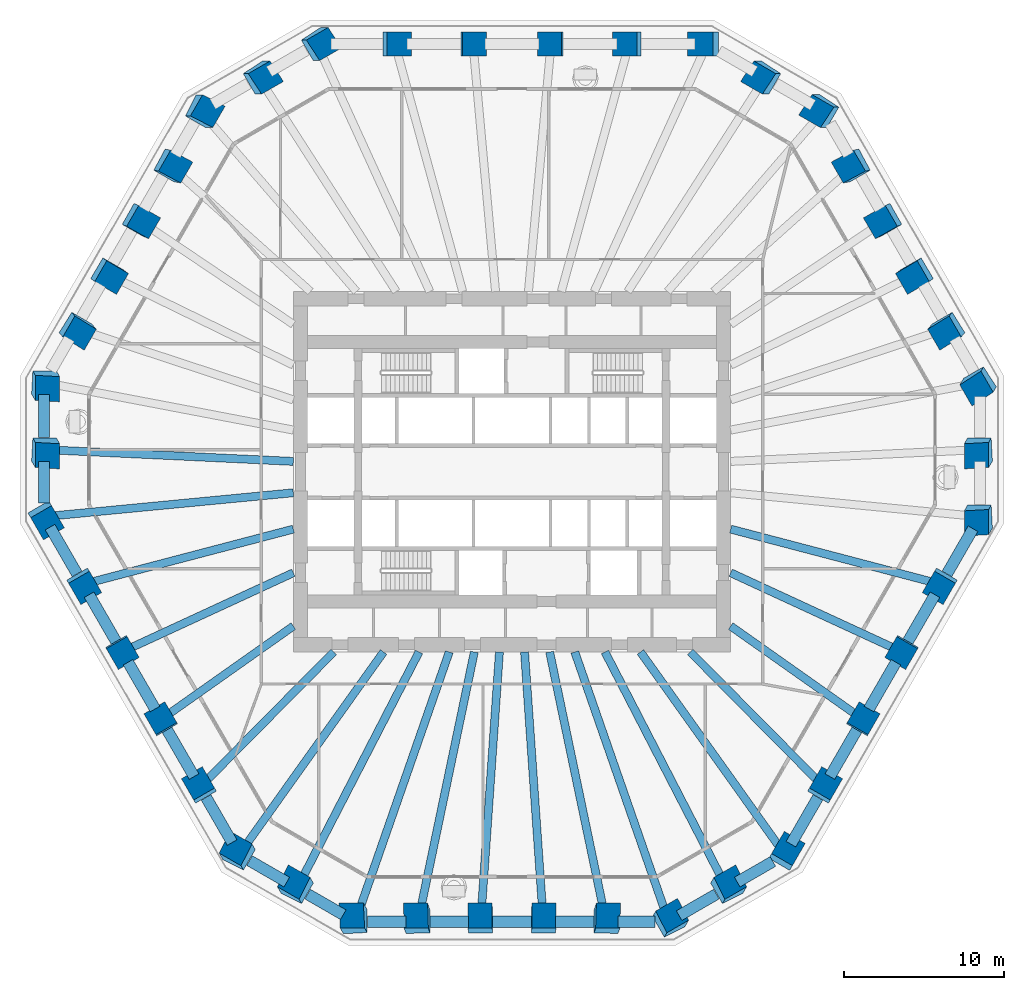
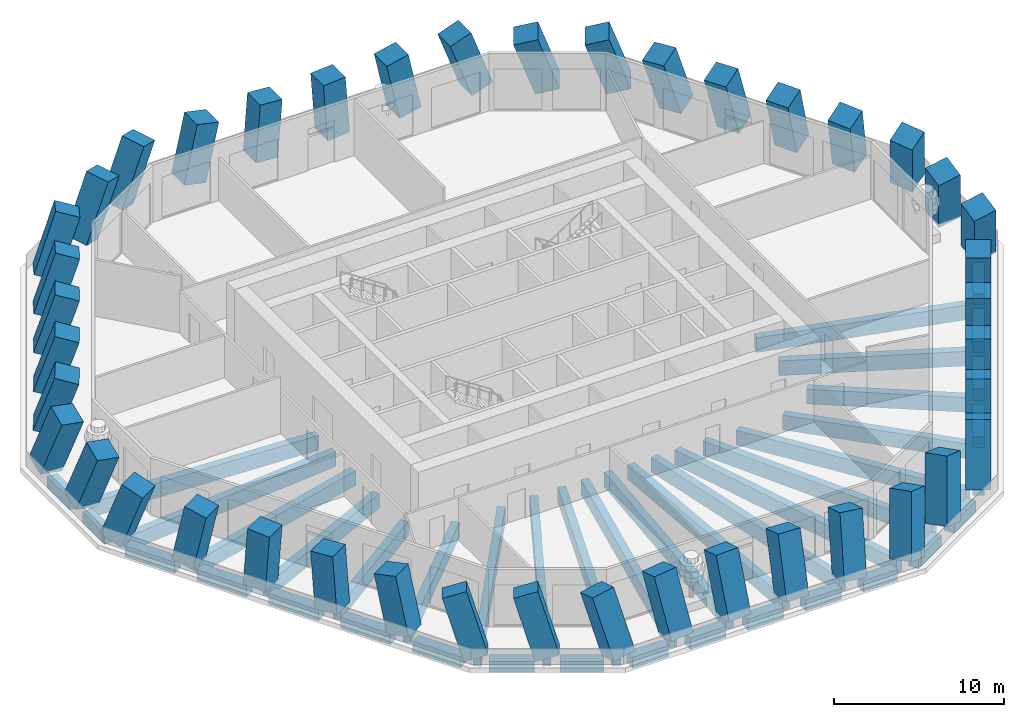
# One storey, part 1 of 11: 42 columns, 41 beams.
"""IFC4 building model written with IfcOpenShell, lengths in metres."""

from ifc_helpers import new_model, si_unit, direction, frame, origin, origin_2d, place, context, subcontext, project, spatial, rectangle, extrude, material, material_profile, profile_set, type_object, element, save


model = new_model("IFC4")

# Units and contexts
model_context = context("Model", 3, precision=1e-05, world=origin(), true_north=direction((0.0, 1.0)))
body_context = subcontext(model_context, "Body", "Model", "MODEL_VIEW")
ifc_project = project(units=[si_unit("LENGTHUNIT", "METRE"), si_unit("AREAUNIT", "SQUARE_METRE"), si_unit("VOLUMEUNIT", "CUBIC_METRE"), si_unit("PLANEANGLEUNIT", "RADIAN"), si_unit("MASSUNIT", "GRAM", prefix="KILO")], contexts=[model_context])

# Site, building, storey
site_placement = place(None, origin())
site = spatial("IfcSite", under=ifc_project, at=site_placement, CompositionType="ELEMENT")
building_placement = place(site_placement, origin())
building = spatial("IfcBuilding", under=site, at=building_placement, Name="Frailejon Research Tower", CompositionType="ELEMENT")
storey_placement = place(building_placement, frame((0.0, 0.0, 67.39990234375)))
storey = spatial("IfcBuildingStorey", under=building, at=storey_placement, Name="L15", CompositionType="ELEMENT", Elevation=67.39990234375)

# Columns
ifc_material_1 = material(Name="Concrete C70/85", Category="concrete")
ifc_material_profile_1 = material_profile(ifc_material_1, rectangle(XDim=1.5, YDim=1.5, at=origin_2d()), Name="Column 1500")
ifc_profile_set_1 = profile_set([ifc_material_profile_1], Name="Concrete C70/85")
column_type = type_object("IfcColumnType", Name="Column 1500", PredefinedType="COLUMN", material=ifc_profile_set_1)
for number, where, z_axis, x_axis, name in (
    (1, (29.211181640625, -2.8046875, 0.0), (-0.170585157577, -0.29544235916, 0.940007721473), (-0.052685125337, 0.955360564435, 0.290706844588), "Column C01"),
    (2, (29.211181640625, 1.3828125, 0.0), (-0.170585157577, -0.29544235916, 0.940007721473), (-0.052685125337, 0.955360564435, 0.290706844588), "Column C02"),
    (3, (29.211181640625, 5.5703125, 0.0), (-0.170588020232, -0.295390511225, 0.940023496106), (-0.536861857237, 0.827831363108, 0.162710111849), "Column C03"),
):
    element("IfcColumn", number, at=place(storey_placement, frame(where, z_axis=z_axis, x_axis=x_axis)), inside=storey, type_object=column_type, Name=name, PredefinedType="COLUMN", context=body_context, shape_type="SweptSolid", body=[
        extrude(rectangle(XDim=1.5, YDim=1.5, at=origin_2d()), origin(), (0.0, 0.0, 1.0), 4.2978515625),
    ])
column_1_placement = place(storey_placement, frame((27.2548828125, 8.958740234375, 0.0), z_axis=(-0.206604255639, -0.238543908815, 0.948900144967), x_axis=(-0.524107453988, 0.845931636481, 0.098544624791)))
element("IfcColumn", 4, at=column_1_placement, inside=storey, type_object=column_type, Name="Column C04", PredefinedType="COLUMN", context=body_context, shape_type="SweptSolid", body=[
    extrude(rectangle(XDim=1.5, YDim=1.5, at=origin_2d()), origin(), (0.0, 0.0, 1.0), 4.257568359375),
])
for number, where, z_axis, x_axis, name in (
    (5, (25.298583984375, 12.34716796875, 0.0), (-0.242216248762, -0.179760869681, 0.953423997268), (-0.508552704351, 0.860397321393, 0.033024176556), "Column C05"),
    (6, (23.34228515625, 15.735595703125, 0.0), (-0.276787116882, -0.119841216302, 0.953429061233), (-0.49068194142, 0.870713478182, -0.033004109981), "Column C06"),
):
    element("IfcColumn", number, at=place(storey_placement, frame(where, z_axis=z_axis, x_axis=x_axis)), inside=storey, type_object=column_type, Name=name, PredefinedType="COLUMN", context=body_context, shape_type="SweptSolid", body=[
        extrude(rectangle(XDim=1.5, YDim=1.5, at=origin_2d()), origin(), (0.0, 0.0, 1.0), 4.2373046875),
    ])
column_2_placement = place(storey_placement, frame((21.385986328125, 19.1240234375, 0.0), z_axis=(-0.309930766279, -0.059635152069, 0.948887015799), x_axis=(-0.470498954611, 0.8768780975, -0.098567417711)))
element("IfcColumn", 7, at=column_2_placement, inside=storey, type_object=column_type, Name="Column C07", PredefinedType="COLUMN", context=body_context, shape_type="SweptSolid", body=[
    extrude(rectangle(XDim=1.5, YDim=1.5, at=origin_2d()), origin(), (0.0, 0.0, 1.0), 4.257568359375),
])
for number, where, z_axis, x_axis, name in (
    (8, (19.4296875, 22.512451171875, 0.0), (-0.341168319262, 0.0, 0.940002222302), (-0.800987769493, 0.523358442363, -0.290713835121), "Column C08"),
    (9, (15.802978515625, 24.606201171875, 0.0), (-0.341118125037, 0.0, 0.940020438486), (-0.801003291734, 0.523358442363, -0.290671063987), "Column C09"),
    (10, (12.176513671875, 26.699951171875, 0.0), (-0.341118125037, 0.0, 0.940020438486), (-0.940020438486, 0.0, -0.341118125037), "Column C10"),
):
    element("IfcColumn", number, at=place(storey_placement, frame(where, z_axis=z_axis, x_axis=x_axis)), inside=storey, type_object=column_type, Name=name, PredefinedType="COLUMN", context=body_context, shape_type="SweptSolid", body=[
        extrude(rectangle(XDim=1.5, YDim=1.5, at=origin_2d()), origin(), (0.0, 0.0, 1.0), 4.2978515625),
    ])
column_3_placement = place(storey_placement, frame((7.305908203125, 26.699951171875, 0.0), z_axis=(-0.212745864356, 0.0, 0.977107566852), x_axis=(-0.977107566852, 0.0, -0.212745864356)))
element("IfcColumn", 11, at=column_3_placement, inside=storey, type_object=column_type, Name="Column C11", PredefinedType="COLUMN", context=body_context, shape_type="SweptSolid", body=[
    extrude(rectangle(XDim=1.5, YDim=1.5, at=origin_2d()), origin(), (0.0, 0.0, 1.0), 4.134765625),
])
for number, where, z_axis, x_axis, name in (
    (12, (2.435302734375, 26.699951171875, 0.0), (-0.07238780998, 0.0, 0.997376561268), (-0.997376561268, 0.0, -0.07238780998), "Column C12"),
    (13, (-2.435302734375, 26.699951171875, 0.0), (0.07238780998, 0.0, 0.997376561268), (-0.997376561268, 0.0, 0.07238780998), "Column C13"),
):
    element("IfcColumn", number, at=place(storey_placement, frame(where, z_axis=z_axis, x_axis=x_axis)), inside=storey, type_object=column_type, Name=name, PredefinedType="COLUMN", context=body_context, shape_type="SweptSolid", body=[
        extrude(rectangle(XDim=1.5, YDim=1.5, at=origin_2d()), origin(), (0.0, 0.0, 1.0), 4.060791015625),
    ])
column_4_placement = place(storey_placement, frame((-7.305908203125, 26.699951171875, 0.0), z_axis=(0.212745864356, 0.0, 0.977107566852), x_axis=(-0.977107566852, 0.0, 0.212745864356)))
element("IfcColumn", 14, at=column_4_placement, inside=storey, type_object=column_type, Name="Column C14", PredefinedType="COLUMN", context=body_context, shape_type="SweptSolid", body=[
    extrude(rectangle(XDim=1.5, YDim=1.5, at=origin_2d()), origin(), (0.0, 0.0, 1.0), 4.134765625),
])
for number, where, z_axis, x_axis, name in (
    (15, (-12.176513671875, 26.699951171875, 0.0), (0.341118125037, 0.0, 0.940020438486), (-0.80100500902, -0.523355467925, 0.290671687162), "Column C15"),
    (16, (-15.802978515625, 24.606201171875, 0.0), (0.341118125037, 0.0, 0.940020438486), (-0.801003291734, -0.523358442363, 0.290671063987), "Column C16"),
    (17, (-19.4296875, 22.512451171875, 0.0), (0.341168319262, 0.0, 0.940002222302), (-0.448380340539, -0.878903709295, 0.16273702715), "Column C17"),
):
    element("IfcColumn", number, at=place(storey_placement, frame(where, z_axis=z_axis, x_axis=x_axis)), inside=storey, type_object=column_type, Name=name, PredefinedType="COLUMN", context=body_context, shape_type="SweptSolid", body=[
        extrude(rectangle(XDim=1.5, YDim=1.5, at=origin_2d()), origin(), (0.0, 0.0, 1.0), 4.2978515625),
    ])
column_5_placement = place(storey_placement, frame((-21.385986328125, 19.1240234375, 0.0), z_axis=(0.309930766279, -0.059635152069, 0.948887015799), x_axis=(-0.470498954611, -0.8768780975, 0.098567417711)))
element("IfcColumn", 18, at=column_5_placement, inside=storey, type_object=column_type, Name="Column C18", PredefinedType="COLUMN", context=body_context, shape_type="SweptSolid", body=[
    extrude(rectangle(XDim=1.5, YDim=1.5, at=origin_2d()), origin(), (0.0, 0.0, 1.0), 4.257568359375),
])
for number, where, z_axis, x_axis, name in (
    (19, (-23.34228515625, 15.735595703125, 0.0), (0.276787116882, -0.119841216302, 0.953429061233), (-0.49068194142, -0.870713478182, 0.033004109981), "Column C19"),
    (20, (-25.298583984375, 12.34716796875, 0.0), (0.242216248762, -0.179760869681, 0.953423997268), (-0.508552704351, -0.860397321393, -0.033024176556), "Column C20"),
):
    element("IfcColumn", number, at=place(storey_placement, frame(where, z_axis=z_axis, x_axis=x_axis)), inside=storey, type_object=column_type, Name=name, PredefinedType="COLUMN", context=body_context, shape_type="SweptSolid", body=[
        extrude(rectangle(XDim=1.5, YDim=1.5, at=origin_2d()), origin(), (0.0, 0.0, 1.0), 4.2373046875),
    ])
column_6_placement = place(storey_placement, frame((-27.2548828125, 8.958740234375, 0.0), z_axis=(0.206604255639, -0.238543908815, 0.948900144967), x_axis=(-0.524107453988, -0.845931636481, -0.098544624791)))
element("IfcColumn", 21, at=column_6_placement, inside=storey, type_object=column_type, Name="Column C21", PredefinedType="COLUMN", context=body_context, shape_type="SweptSolid", body=[
    extrude(rectangle(XDim=1.5, YDim=1.5, at=origin_2d()), origin(), (0.0, 0.0, 1.0), 4.257568359375),
])
for number, where, z_axis, x_axis, name in (
    (22, (-29.211181640625, 5.5703125, 0.0), (0.170588020232, -0.295390511225, 0.940023496106), (-0.052628043506, -0.955376592381, -0.290664507236), "Column C22"),
    (23, (-29.211181640625, 1.3828125, 0.0), (0.170585157577, -0.29544235916, 0.940007721473), (-0.052685125337, -0.955360564435, -0.290706844588), "Column C23"),
    (24, (-29.211181640625, -2.8046875, 0.0), (0.170585157577, -0.29544235916, 0.940007721473), (0.470057714362, -0.814039471856, -0.341153167111), "Column C24"),
):
    element("IfcColumn", number, at=place(storey_placement, frame(where, z_axis=z_axis, x_axis=x_axis)), inside=storey, type_object=column_type, Name=name, PredefinedType="COLUMN", context=body_context, shape_type="SweptSolid", body=[
        extrude(rectangle(XDim=1.5, YDim=1.5, at=origin_2d()), origin(), (0.0, 0.0, 1.0), 4.2978515625),
    ])
column_7_placement = place(storey_placement, frame((-26.77587890625, -7.02294921875, 0.0), z_axis=(0.106402456539, -0.184226228858, 0.977107575369), x_axis=(0.488665296242, -0.846135593228, -0.212745825157)))
element("IfcColumn", 25, at=column_7_placement, inside=storey, type_object=column_type, Name="Column C25", PredefinedType="COLUMN", context=body_context, shape_type="SweptSolid", body=[
    extrude(rectangle(XDim=1.5, YDim=1.5, at=origin_2d()), origin(), (0.0, 0.0, 1.0), 4.134765625),
])
for number, where, z_axis, x_axis, name in (
    (26, (-24.340576171875, -11.240966796875, 0.0), (0.03619386332, -0.062707972497, 0.997375412993), (0.498665845075, -0.863765066122, -0.072403629074), "Column C26"),
    (27, (-21.9052734375, -15.458984375, 0.0), (-0.036193999713, 0.062648085882, 0.997379171489), (0.498790729762, -0.863697296382, 0.072351835683), "Column C27"),
):
    element("IfcColumn", number, at=place(storey_placement, frame(where, z_axis=z_axis, x_axis=x_axis)), inside=storey, type_object=column_type, Name=name, PredefinedType="COLUMN", context=body_context, shape_type="SweptSolid", body=[
        extrude(rectangle(XDim=1.5, YDim=1.5, at=origin_2d()), origin(), (0.0, 0.0, 1.0), 4.060791015625),
    ])
column_8_placement = place(storey_placement, frame((-19.469970703125, -19.677001953125, 0.0), z_axis=(-0.106344077619, 0.184227385992, 0.977113712628), x_axis=(0.488464961789, -0.846258346219, 0.21271763575)))
element("IfcColumn", 28, at=column_8_placement, inside=storey, type_object=column_type, Name="Column C28", PredefinedType="COLUMN", context=body_context, shape_type="SweptSolid", body=[
    extrude(rectangle(XDim=1.5, YDim=1.5, at=origin_2d()), origin(), (0.0, 0.0, 1.0), 4.134765625),
])
for number, where, z_axis, x_axis, name in (
    (29, (-17.03466796875, -23.895263671875, 0.0), (-0.170530004844, 0.295445221584, 0.940016828834), (0.853708362876, -0.432077398315, 0.29067361941), "Column C29"),
    (30, (-13.408203125, -25.989013671875, 0.0), (-0.170530004844, 0.295445221584, 0.940016828834), (0.853708362876, -0.432077398315, 0.29067361941), "Column C30"),
    (31, (-9.781494140625, -28.082763671875, 0.0), (-0.170585157577, 0.29544235916, 0.940007721473), (0.985342937257, 0.051151097258, 0.162735556185), "Column C31"),
):
    element("IfcColumn", number, at=place(storey_placement, frame(where, z_axis=z_axis, x_axis=x_axis)), inside=storey, type_object=column_type, Name=name, PredefinedType="COLUMN", context=body_context, shape_type="SweptSolid", body=[
        extrude(rectangle(XDim=1.5, YDim=1.5, at=origin_2d()), origin(), (0.0, 0.0, 1.0), 4.2978515625),
    ])
column_9_placement = place(storey_placement, frame((-5.868896484375, -28.082763671875, 0.0), z_axis=(-0.103272303322, 0.298233897599, 0.948889547676), x_axis=(0.994653115752, 0.030865690924, 0.09855195812)))
element("IfcColumn", 32, at=column_9_placement, inside=storey, type_object=column_type, Name="Column C32", PredefinedType="COLUMN", context=body_context, shape_type="SweptSolid", body=[
    extrude(rectangle(XDim=1.5, YDim=1.5, at=origin_2d()), origin(), (0.0, 0.0, 1.0), 4.257568359375),
])
for number, where, z_axis, x_axis, name in (
    (33, (-1.956298828125, -28.082763671875, 0.0), (-0.034569261171, 0.299657878914, 0.953420223085), (0.999402297158, 0.010249737548, 0.033015016516), "Column C33"),
    (34, (1.956298828125, -28.082763671875, 0.0), (0.034569261171, 0.299657878914, 0.953420223085), (0.999402297158, -0.010249737548, -0.033015016516), "Column C34"),
):
    element("IfcColumn", number, at=place(storey_placement, frame(where, z_axis=z_axis, x_axis=x_axis)), inside=storey, type_object=column_type, Name=name, PredefinedType="COLUMN", context=body_context, shape_type="SweptSolid", body=[
        extrude(rectangle(XDim=1.5, YDim=1.5, at=origin_2d()), origin(), (0.0, 0.0, 1.0), 4.2373046875),
    ])
column_10_placement = place(storey_placement, frame((5.868896484375, -28.082763671875, 0.0), z_axis=(0.103272303322, 0.298233897599, 0.948889547676), x_axis=(0.994653115752, -0.030865690924, -0.09855195812)))
element("IfcColumn", 35, at=column_10_placement, inside=storey, type_object=column_type, Name="Column C35", PredefinedType="COLUMN", context=body_context, shape_type="SweptSolid", body=[
    extrude(rectangle(XDim=1.5, YDim=1.5, at=origin_2d()), origin(), (0.0, 0.0, 1.0), 4.257568359375),
])
for number, where, z_axis, x_axis, name in (
    (36, (9.781494140625, -28.082763671875, 0.0), (0.170585157577, 0.29544235916, 0.940007721473), (0.853740167051, 0.431993664162, -0.290704663341), "Column C36"),
    (37, (13.408203125, -25.989013671875, 0.0), (0.170530004844, 0.295445221584, 0.940016828834), (0.853708362876, 0.432077398315, -0.29067361941), "Column C37"),
    (38, (17.03466796875, -23.895263671875, 0.0), (0.170530004844, 0.295445221584, 0.940016828834), (0.469944869442, 0.814115138244, -0.341128071796), "Column C38"),
):
    element("IfcColumn", number, at=place(storey_placement, frame(where, z_axis=z_axis, x_axis=x_axis)), inside=storey, type_object=column_type, Name=name, PredefinedType="COLUMN", context=body_context, shape_type="SweptSolid", body=[
        extrude(rectangle(XDim=1.5, YDim=1.5, at=origin_2d()), origin(), (0.0, 0.0, 1.0), 4.2978515625),
    ])
column_11_placement = place(storey_placement, frame((19.469970703125, -19.677001953125, 0.0), z_axis=(0.106344077619, 0.184227385992, 0.977113712628), x_axis=(0.488464961789, 0.846258346219, -0.21271763575)))
element("IfcColumn", 39, at=column_11_placement, inside=storey, type_object=column_type, Name="Column C39", PredefinedType="COLUMN", context=body_context, shape_type="SweptSolid", body=[
    extrude(rectangle(XDim=1.5, YDim=1.5, at=origin_2d()), origin(), (0.0, 0.0, 1.0), 4.134765625),
])
for number, where, z_axis, x_axis, name in (
    (40, (21.9052734375, -15.458984375, 0.0), (0.036193999713, 0.062648085882, 0.997379171489), (0.498790729762, 0.863697296382, -0.072351835683), "Column C40"),
    (41, (24.340576171875, -11.240966796875, 0.0), (-0.03619386332, -0.062707972497, 0.997375412993), (0.498665845075, 0.863765066122, 0.072403629074), "Column C41"),
):
    element("IfcColumn", number, at=place(storey_placement, frame(where, z_axis=z_axis, x_axis=x_axis)), inside=storey, type_object=column_type, Name=name, PredefinedType="COLUMN", context=body_context, shape_type="SweptSolid", body=[
        extrude(rectangle(XDim=1.5, YDim=1.5, at=origin_2d()), origin(), (0.0, 0.0, 1.0), 4.060791015625),
    ])
column_12_placement = place(storey_placement, frame((26.77587890625, -7.02294921875, 0.0), z_axis=(-0.106402456539, -0.184226228858, 0.977107575369), x_axis=(0.488665296242, 0.846135593228, 0.212745825157)))
element("IfcColumn", 42, at=column_12_placement, inside=storey, type_object=column_type, Name="Column C42", PredefinedType="COLUMN", context=body_context, shape_type="SweptSolid", body=[
    extrude(rectangle(XDim=1.5, YDim=1.5, at=origin_2d()), origin(), (0.0, 0.0, 1.0), 4.134765625),
])

# Beams
ifc_material_2 = material(Name="Concrete C60/75", Category="concrete")
ifc_material_profile_2 = material_profile(ifc_material_2, rectangle(XDim=0.5, YDim=1.050048828125, at=origin_2d()), Name="Girder 500x1050")
ifc_profile_set_2 = profile_set([ifc_material_profile_2], Name="Concrete C60/75")
beam_type_1 = type_object("IfcBeamType", Name="Girder 500x1050", PredefinedType="BEAM", material=ifc_profile_set_2)
beam_1_placement = place(storey_placement, frame((-28.61083984375, 1.3544921875, -0.824951171875), z_axis=(0.998881338401, -0.047287120801, 0.0), x_axis=(0.047287120801, 0.998881338401, 0.0)))
element("IfcBeam", 43, at=beam_1_placement, inside=storey, type_object=beam_type_1, Name="Girder 500x1050", PredefinedType="BEAM", context=body_context, shape_type="SweptSolid", body=[
    extrude(rectangle(XDim=0.5, YDim=1.050048828125, at=origin_2d()), origin(), (0.0, 0.0, 1.0), 14.977783203125),
])
beam_2_placement = place(storey_placement, frame((-28.539794921875, -2.740478515625, -0.824951171875), z_axis=(0.995420415268, 0.09559391648, 0.0), x_axis=(-0.09559391648, 0.995420415268, 0.0)))
element("IfcBeam", 44, at=beam_2_placement, inside=storey, type_object=beam_type_1, Name="Girder 500x1050", PredefinedType="BEAM", context=body_context, shape_type="SweptSolid", body=[
    extrude(rectangle(XDim=0.5, YDim=1.050048828125, at=origin_2d()), origin(), (0.0, 0.0, 1.0), 14.95849609375),
])
beam_3_placement = place(storey_placement, frame((-26.168701171875, -6.86376953125, -0.824951171875), z_axis=(0.96727825833, 0.253717896416, 0.0), x_axis=(-0.253717896416, 0.96727825833, 0.0)))
element("IfcBeam", 45, at=beam_3_placement, inside=storey, type_object=beam_type_1, Name="Girder 500x1050", PredefinedType="BEAM", context=body_context, shape_type="SweptSolid", body=[
    extrude(rectangle(XDim=0.5, YDim=1.050048828125, at=origin_2d()), origin(), (0.0, 0.0, 1.0), 12.9423828125),
])
beam_4_placement = place(storey_placement, frame((-23.79296875, -10.988037109375, -0.824951171875), z_axis=(0.907868543598, 0.419254943375, 0.0), x_axis=(-0.419254943375, 0.907868543598, 0.0)))
element("IfcBeam", 46, at=beam_4_placement, inside=storey, type_object=beam_type_1, Name="Girder 500x1050", PredefinedType="BEAM", context=body_context, shape_type="SweptSolid", body=[
    extrude(rectangle(XDim=0.5, YDim=1.050048828125, at=origin_2d()), origin(), (0.0, 0.0, 1.0), 11.17236328125),
])
beam_5_placement = place(storey_placement, frame((-21.412353515625, -15.111083984375, -0.824951171875), z_axis=(0.817034800415, 0.576588358286, 0.0), x_axis=(-0.576588358286, 0.817034800415, 0.0)))
element("IfcBeam", 47, at=beam_5_placement, inside=storey, type_object=beam_type_1, Name="Girder 500x1050", PredefinedType="BEAM", context=body_context, shape_type="SweptSolid", body=[
    extrude(rectangle(XDim=0.5, YDim=1.050048828125, at=origin_2d()), origin(), (0.0, 0.0, 1.0), 9.500732421875),
])
beam_6_placement = place(storey_placement, frame((-19.028564453125, -19.23095703125, -0.824951171875), z_axis=(0.703356786979, 0.710836992714, 0.0), x_axis=(-0.710836992714, 0.703356786979, 0.0)))
element("IfcBeam", 48, at=beam_6_placement, inside=storey, type_object=beam_type_1, Name="Girder 500x1050", PredefinedType="BEAM", context=body_context, shape_type="SweptSolid", body=[
    extrude(rectangle(XDim=0.5, YDim=1.050048828125, at=origin_2d()), origin(), (0.0, 0.0, 1.0), 11.2275390625),
])
beam_7_placement = place(storey_placement, frame((-16.684326171875, -23.40380859375, -0.824951171875), z_axis=(0.580484429188, 0.814271347568, 0.0), x_axis=(-0.814271347568, 0.580484429188, 0.0)))
element("IfcBeam", 49, at=beam_7_placement, inside=storey, type_object=beam_type_1, Name="Girder 500x1050", PredefinedType="BEAM", context=body_context, shape_type="SweptSolid", body=[
    extrude(rectangle(XDim=0.5, YDim=1.050048828125, at=origin_2d()), origin(), (0.0, 0.0, 1.0), 14.926025390625),
])
beam_8_placement = place(storey_placement, frame((-13.132568359375, -25.455078125, -0.824951171875), z_axis=(0.458492734249, 0.888698156092, 0.0), x_axis=(-0.888698156092, 0.458492734249, 0.0)))
element("IfcBeam", 50, at=beam_8_placement, inside=storey, type_object=beam_type_1, Name="Girder 500x1050", PredefinedType="BEAM", context=body_context, shape_type="SweptSolid", body=[
    extrude(rectangle(XDim=0.5, YDim=1.050048828125, at=origin_2d()), origin(), (0.0, 0.0, 1.0), 15.984130859375),
])
beam_9_placement = place(storey_placement, frame((-9.569580078125, -27.474609375, -0.824951171875), z_axis=(0.328924592456, 0.94435618941, 0.0), x_axis=(-0.94435618941, 0.328924592456, 0.0)))
element("IfcBeam", 51, at=beam_9_placement, inside=storey, type_object=beam_type_1, Name="Girder 500x1050", PredefinedType="BEAM", context=body_context, shape_type="SweptSolid", body=[
    extrude(rectangle(XDim=0.5, YDim=1.050048828125, at=origin_2d()), origin(), (0.0, 0.0, 1.0), 17.1806640625),
])
beam_10_placement = place(storey_placement, frame((-5.742919921875, -27.4794921875, -0.824951171875), z_axis=(0.204572805504, 0.978851350946, 0.0), x_axis=(-0.978851350946, 0.204572805504, 0.0)))
element("IfcBeam", 52, at=beam_10_placement, inside=storey, type_object=beam_type_1, Name="Girder 500x1050", PredefinedType="BEAM", context=body_context, shape_type="SweptSolid", body=[
    extrude(rectangle(XDim=0.5, YDim=1.050048828125, at=origin_2d()), origin(), (0.0, 0.0, 1.0), 16.580078125),
])
for number, where, z_axis, x_axis, name in (
    (53, (-1.91455078125, -27.482421875, -0.824951171875), (0.069498257756, 0.997582072899, 0.0), (-0.997582072899, 0.069498257756, 0.0), "Girder 500x1050"),
    (54, (1.91455078125, -27.482421875, -0.824951171875), (-0.069498257756, 0.997582072899, 0.0), (-0.997582072899, -0.069498257756, 0.0), "Girder 500x1050"),
):
    element("IfcBeam", number, at=place(storey_placement, frame(where, z_axis=z_axis, x_axis=x_axis)), inside=storey, type_object=beam_type_1, Name=name, PredefinedType="BEAM", context=body_context, shape_type="SweptSolid", body=[
        extrude(rectangle(XDim=0.5, YDim=1.050048828125, at=origin_2d()), origin(), (0.0, 0.0, 1.0), 16.271728515625),
    ])
beam_11_placement = place(storey_placement, frame((5.742919921875, -27.4794921875, -0.824951171875), z_axis=(-0.204572805504, 0.978851350946, 0.0), x_axis=(-0.978851350946, -0.204572805504, 0.0)))
element("IfcBeam", 55, at=beam_11_placement, inside=storey, type_object=beam_type_1, Name="Girder 500x1050", PredefinedType="BEAM", context=body_context, shape_type="SweptSolid", body=[
    extrude(rectangle(XDim=0.5, YDim=1.050048828125, at=origin_2d()), origin(), (0.0, 0.0, 1.0), 16.580078125),
])
beam_12_placement = place(storey_placement, frame((9.57958984375, -27.50341796875, -0.824951171875), z_axis=(-0.328923326582, 0.94435663032, 0.0), x_axis=(-0.94435663032, -0.328923326582, 0.0)))
element("IfcBeam", 56, at=beam_12_placement, inside=storey, type_object=beam_type_1, Name="Girder 500x1050", PredefinedType="BEAM", context=body_context, shape_type="SweptSolid", body=[
    extrude(rectangle(XDim=0.5, YDim=1.050048828125, at=origin_2d()), origin(), (0.0, 0.0, 1.0), 17.211181640625),
])
beam_13_placement = place(storey_placement, frame((13.132568359375, -25.455078125, -0.824951171875), z_axis=(-0.458492734249, 0.888698156092, 0.0), x_axis=(-0.888698156092, -0.458492734249, 0.0)))
element("IfcBeam", 57, at=beam_13_placement, inside=storey, type_object=beam_type_1, Name="Girder 500x1050", PredefinedType="BEAM", context=body_context, shape_type="SweptSolid", body=[
    extrude(rectangle(XDim=0.5, YDim=1.050048828125, at=origin_2d()), origin(), (0.0, 0.0, 1.0), 15.984130859375),
])
beam_14_placement = place(storey_placement, frame((16.643310546875, -23.34619140625, -0.824951171875), z_axis=(-0.580487061992, 0.814269470667, 0.0), x_axis=(-0.814269470667, -0.580487061992, 0.0)))
element("IfcBeam", 58, at=beam_14_placement, inside=storey, type_object=beam_type_1, Name="Girder 500x1050", PredefinedType="BEAM", context=body_context, shape_type="SweptSolid", body=[
    extrude(rectangle(XDim=0.5, YDim=1.050048828125, at=origin_2d()), origin(), (0.0, 0.0, 1.0), 14.855224609375),
])
beam_15_placement = place(storey_placement, frame((19.028564453125, -19.23095703125, -0.824951171875), z_axis=(-0.703356786979, 0.710836992714, 0.0), x_axis=(-0.710836992714, -0.703356786979, 0.0)))
element("IfcBeam", 59, at=beam_15_placement, inside=storey, type_object=beam_type_1, Name="Girder 500x1050", PredefinedType="BEAM", context=body_context, shape_type="SweptSolid", body=[
    extrude(rectangle(XDim=0.5, YDim=1.050048828125, at=origin_2d()), origin(), (0.0, 0.0, 1.0), 11.2275390625),
])
beam_16_placement = place(storey_placement, frame((21.412353515625, -15.111083984375, -0.824951171875), z_axis=(-0.817034800415, 0.576588358286, 0.0), x_axis=(-0.576588358286, -0.817034800415, 0.0)))
element("IfcBeam", 60, at=beam_16_placement, inside=storey, type_object=beam_type_1, Name="Girder 500x1050", PredefinedType="BEAM", context=body_context, shape_type="SweptSolid", body=[
    extrude(rectangle(XDim=0.5, YDim=1.050048828125, at=origin_2d()), origin(), (0.0, 0.0, 1.0), 9.500732421875),
])
beam_17_placement = place(storey_placement, frame((23.79296875, -10.988037109375, -0.824951171875), z_axis=(-0.907868543598, 0.419254943375, 0.0), x_axis=(-0.419254943375, -0.907868543598, 0.0)))
element("IfcBeam", 61, at=beam_17_placement, inside=storey, type_object=beam_type_1, Name="Girder 500x1050", PredefinedType="BEAM", context=body_context, shape_type="SweptSolid", body=[
    extrude(rectangle(XDim=0.5, YDim=1.050048828125, at=origin_2d()), origin(), (0.0, 0.0, 1.0), 11.17236328125),
])
beam_18_placement = place(storey_placement, frame((26.168701171875, -6.86376953125, -0.824951171875), z_axis=(-0.96727825833, 0.253717896416, 0.0), x_axis=(-0.253717896416, -0.96727825833, 0.0)))
element("IfcBeam", 62, at=beam_18_placement, inside=storey, type_object=beam_type_1, Name="Girder 500x1050", PredefinedType="BEAM", context=body_context, shape_type="SweptSolid", body=[
    extrude(rectangle(XDim=0.5, YDim=1.050048828125, at=origin_2d()), origin(), (0.0, 0.0, 1.0), 12.9423828125),
])
ifc_material_3 = material(Name="Concrete C60/75", Category="concrete")
ifc_material_profile_3 = material_profile(ifc_material_3, rectangle(XDim=0.699951171875, YDim=0.800048828125, at=origin_2d()), Name="Spandrel 700x800")
ifc_profile_set_3 = profile_set([ifc_material_profile_3], Name="Concrete C60/75")
beam_type_2 = type_object("IfcBeamType", Name="Spandrel 700x800", PredefinedType="BEAM", material=ifc_profile_set_3)
beam_19_placement = place(storey_placement, frame((-29.211181640625, 4.8203125, -0.75), z_axis=(0.0, -1.0, 0.0), x_axis=(1.0, 0.0, 0.0)))
element("IfcBeam", 63, at=beam_19_placement, inside=storey, type_object=beam_type_2, Name="Spandrel 700x800", PredefinedType="BEAM", context=body_context, shape_type="SweptSolid", body=[
    extrude(rectangle(XDim=0.699951171875, YDim=0.800048828125, at=origin_2d()), origin(), (0.0, 0.0, 1.0), 2.6875),
])
beam_20_placement = place(storey_placement, frame((-29.211181640625, 0.6328125, -0.75), z_axis=(0.0, -1.0, 0.0), x_axis=(1.0, 0.0, 0.0)))
element("IfcBeam", 64, at=beam_20_placement, inside=storey, type_object=beam_type_2, Name="Spandrel 700x800", PredefinedType="BEAM", context=body_context, shape_type="SweptSolid", body=[
    extrude(rectangle(XDim=0.699951171875, YDim=0.800048828125, at=origin_2d()), origin(), (0.0, 0.0, 1.0), 2.571533203125),
])
beam_21_placement = place(storey_placement, frame((-28.836181640625, -3.454345703125, -0.75), z_axis=(0.500010874902, -0.866019125066, 0.0), x_axis=(0.866019125066, 0.500010874902, 0.0)))
element("IfcBeam", 65, at=beam_21_placement, inside=storey, type_object=beam_type_2, Name="Spandrel 700x800", PredefinedType="BEAM", context=body_context, shape_type="SweptSolid", body=[
    extrude(rectangle(XDim=0.699951171875, YDim=0.800048828125, at=origin_2d()), origin(), (0.0, 0.0, 1.0), 3.37060546875),
])
for number, where, z_axis, x_axis, name in (
    (66, (-26.40087890625, -7.67236328125, -0.75), (0.499979511309, -0.866037232612, 0.0), (0.866037232612, 0.499979511309, 0.0), "Spandrel 700x800"),
    (67, (-23.965576171875, -11.890380859375, -0.75), (0.499979511309, -0.866037232612, 0.0), (0.866037232612, 0.499979511309, 0.0), "Spandrel 700x800"),
    (68, (-21.5302734375, -16.1083984375, -0.75), (0.499979511309, -0.866037232612, 0.0), (0.866037232612, 0.499979511309, 0.0), "Spandrel 700x800"),
):
    element("IfcBeam", number, at=place(storey_placement, frame(where, z_axis=z_axis, x_axis=x_axis)), inside=storey, type_object=beam_type_2, Name=name, PredefinedType="BEAM", context=body_context, shape_type="SweptSolid", body=[
        extrude(rectangle(XDim=0.699951171875, YDim=0.800048828125, at=origin_2d()), origin(), (0.0, 0.0, 1.0), 3.370849609375),
    ])
beam_22_placement = place(storey_placement, frame((-19.094970703125, -20.32666015625, -0.75), z_axis=(0.500027630784, -0.866009450556, 0.0), x_axis=(0.866009450556, 0.500027630784, 0.0)))
element("IfcBeam", 69, at=beam_22_placement, inside=storey, type_object=beam_type_2, Name="Spandrel 700x800", PredefinedType="BEAM", context=body_context, shape_type="SweptSolid", body=[
    extrude(rectangle(XDim=0.699951171875, YDim=0.800048828125, at=origin_2d()), origin(), (0.0, 0.0, 1.0), 3.254638671875),
])
beam_23_placement = place(storey_placement, frame((-16.385009765625, -24.270263671875, -0.75), z_axis=(0.866020687897, -0.500008168067, 0.0), x_axis=(0.500008168067, 0.866020687897, 0.0)))
element("IfcBeam", 70, at=beam_23_placement, inside=storey, type_object=beam_type_2, Name="Spandrel 700x800", PredefinedType="BEAM", context=body_context, shape_type="SweptSolid", body=[
    extrude(rectangle(XDim=0.699951171875, YDim=0.800048828125, at=origin_2d()), origin(), (0.0, 0.0, 1.0), 2.6875),
])
beam_24_placement = place(storey_placement, frame((-12.758544921875, -26.364013671875, -0.75), z_axis=(0.866008514048, -0.50002925274, 0.0), x_axis=(0.50002925274, 0.866008514048, 0.0)))
element("IfcBeam", 71, at=beam_24_placement, inside=storey, type_object=beam_type_2, Name="Spandrel 700x800", PredefinedType="BEAM", context=body_context, shape_type="SweptSolid", body=[
    extrude(rectangle(XDim=0.699951171875, YDim=0.800048828125, at=origin_2d()), origin(), (0.0, 0.0, 1.0), 2.571533203125),
])
for number, where, z_axis, x_axis, name in (
    (72, (-9.031494140625, -28.082763671875, -0.75), (1.0, 0.0, 0.0), (0.0, 1.0, 0.0), "Spandrel 700x800"),
    (73, (-5.118896484375, -28.082763671875, -0.75), (1.0, 0.0, 0.0), (0.0, 1.0, 0.0), "Spandrel 700x800"),
    (74, (-1.206298828125, -28.082763671875, -0.75), (1.0, 0.0, 0.0), (0.0, 1.0, 0.0), "Spandrel 700x800"),
    (75, (2.706298828125, -28.082763671875, -0.75), (1.0, 0.0, 0.0), (0.0, 1.0, 0.0), "Spandrel 700x800"),
):
    element("IfcBeam", number, at=place(storey_placement, frame(where, z_axis=z_axis, x_axis=x_axis)), inside=storey, type_object=beam_type_2, Name=name, PredefinedType="BEAM", context=body_context, shape_type="SweptSolid", body=[
        extrude(rectangle(XDim=0.699951171875, YDim=0.800048828125, at=origin_2d()), origin(), (0.0, 0.0, 1.0), 2.41259765625),
    ])
beam_25_placement = place(storey_placement, frame((6.618896484375, -28.082763671875, -0.75), z_axis=(1.0, 0.0, 0.0), x_axis=(0.0, 1.0, 0.0)))
element("IfcBeam", 76, at=beam_25_placement, inside=storey, type_object=beam_type_2, Name="Spandrel 700x800", PredefinedType="BEAM", context=body_context, shape_type="SweptSolid", body=[
    extrude(rectangle(XDim=0.699951171875, YDim=0.800048828125, at=origin_2d()), origin(), (0.0, 0.0, 1.0), 2.296630859375),
])
beam_26_placement = place(storey_placement, frame((10.430908203125, -27.707763671875, -0.75), z_axis=(0.866043397086, 0.499968833392, 0.0), x_axis=(-0.499968833392, 0.866043397086, 0.0)))
element("IfcBeam", 77, at=beam_26_placement, inside=storey, type_object=beam_type_2, Name="Spandrel 700x800", PredefinedType="BEAM", context=body_context, shape_type="SweptSolid", body=[
    extrude(rectangle(XDim=0.699951171875, YDim=0.800048828125, at=origin_2d()), origin(), (0.0, 0.0, 1.0), 2.687744140625),
])
beam_27_placement = place(storey_placement, frame((14.0576171875, -25.614013671875, -0.75), z_axis=(0.866008514048, 0.50002925274, 0.0), x_axis=(-0.50002925274, 0.866008514048, 0.0)))
element("IfcBeam", 78, at=beam_27_placement, inside=storey, type_object=beam_type_2, Name="Spandrel 700x800", PredefinedType="BEAM", context=body_context, shape_type="SweptSolid", body=[
    extrude(rectangle(XDim=0.699951171875, YDim=0.800048828125, at=origin_2d()), origin(), (0.0, 0.0, 1.0), 2.571533203125),
])
beam_28_placement = place(storey_placement, frame((17.40966796875, -23.24560546875, -0.75), z_axis=(0.500010874902, 0.866019125066, 0.0), x_axis=(-0.866019125066, 0.500010874902, 0.0)))
element("IfcBeam", 79, at=beam_28_placement, inside=storey, type_object=beam_type_2, Name="Spandrel 700x800", PredefinedType="BEAM", context=body_context, shape_type="SweptSolid", body=[
    extrude(rectangle(XDim=0.699951171875, YDim=0.800048828125, at=origin_2d()), origin(), (0.0, 0.0, 1.0), 3.37060546875),
])
for number, where, z_axis, x_axis, name in (
    (80, (19.844970703125, -19.027587890625, -0.75), (0.499979511309, 0.866037232612, 0.0), (-0.866037232612, 0.499979511309, 0.0), "Spandrel 700x800"),
    (81, (22.2802734375, -14.8095703125, -0.75), (0.499979511309, 0.866037232612, 0.0), (-0.866037232612, 0.499979511309, 0.0), "Spandrel 700x800"),
    (82, (24.715576171875, -10.591552734375, -0.75), (0.499979511309, 0.866037232612, 0.0), (-0.866037232612, 0.499979511309, 0.0), "Spandrel 700x800"),
):
    element("IfcBeam", number, at=place(storey_placement, frame(where, z_axis=z_axis, x_axis=x_axis)), inside=storey, type_object=beam_type_2, Name=name, PredefinedType="BEAM", context=body_context, shape_type="SweptSolid", body=[
        extrude(rectangle(XDim=0.699951171875, YDim=0.800048828125, at=origin_2d()), origin(), (0.0, 0.0, 1.0), 3.370849609375),
    ])
beam_29_placement = place(storey_placement, frame((27.15087890625, -6.373291015625, -0.75), z_axis=(0.499971370958, 0.866041932139, 0.0), x_axis=(-0.866041932139, 0.499971370958, 0.0)))
element("IfcBeam", 83, at=beam_29_placement, inside=storey, type_object=beam_type_2, Name="Spandrel 700x800", PredefinedType="BEAM", context=body_context, shape_type="SweptSolid", body=[
    extrude(rectangle(XDim=0.699951171875, YDim=0.800048828125, at=origin_2d()), origin(), (0.0, 0.0, 1.0), 3.254638671875),
])

save(model, "model.ifc")
